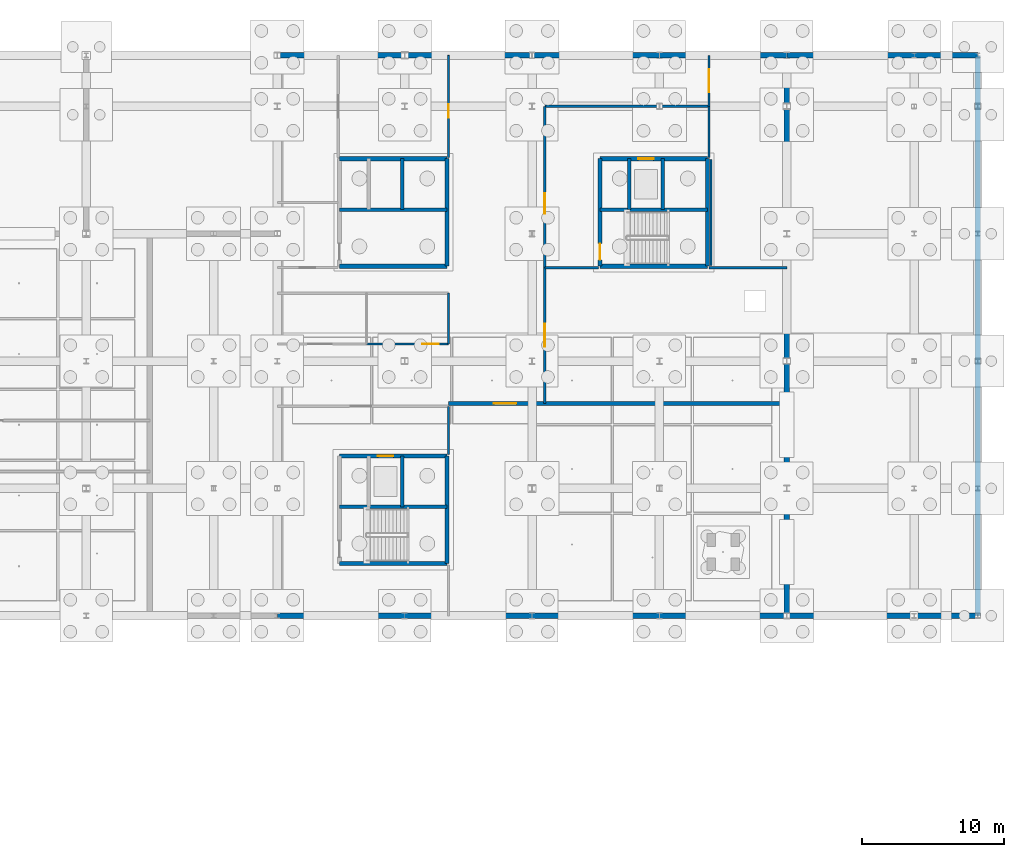
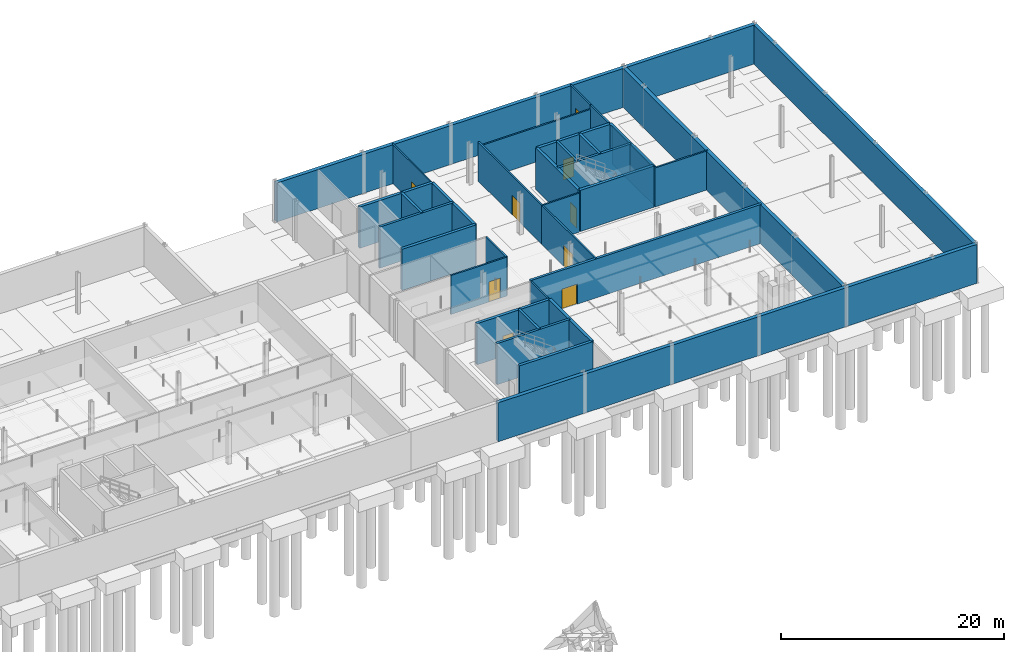
# One storey, part 26 of 48: 36 walls, 9 doors, 9 openings.
"""IFC4 building model written with IfcOpenShell, lengths in metres."""

from ifc_helpers import new_model, si_unit, direction, frame, frame_2d, origin, place, context, subcontext, project, spatial, rectangle, extrude, material, layer, layer_set, type_object, element, fill, save


model = new_model("IFC4")

# Units and contexts
model_context = context("Model", 3, precision=1e-05, world=origin(), true_north=direction((0.0, 1.0)))
body_context = subcontext(model_context, "Body", "Model", "MODEL_VIEW")
ifc_project = project(units=[si_unit("LENGTHUNIT", "METRE"), si_unit("AREAUNIT", "SQUARE_METRE"), si_unit("VOLUMEUNIT", "CUBIC_METRE"), si_unit("PLANEANGLEUNIT", "RADIAN"), si_unit("MASSUNIT", "GRAM", prefix="KILO"), si_unit("THERMODYNAMICTEMPERATUREUNIT", "KELVIN"), si_unit("POWERUNIT", "WATT")], contexts=[model_context])

# Site, building, storey
site_placement = place(None, origin())
site = spatial("IfcSite", under=ifc_project, at=site_placement, CompositionType="ELEMENT")
building_placement = place(site_placement, origin())
building = spatial("IfcBuilding", under=site, at=building_placement, Name="Tallowbark Science Centre", CompositionType="ELEMENT")
storey_placement = place(building_placement, frame((0.0, 0.0, -4.5)))
storey = spatial("IfcBuildingStorey", under=building, at=storey_placement, Name="B1", CompositionType="ELEMENT", Elevation=-4.5)

# Wall, opening, door
ifc_material_1 = material(Name="132 mm Acoustic Laboratory Steel Stud Partition", Category="steel")
ifc_layer_1 = layer(ifc_material_1, 0.132080078125)
ifc_layer_set_1 = layer_set([ifc_layer_1], Name="132 mm Acoustic Laboratory Steel Stud Partition")
wall_type_1 = type_object("IfcWallType", Name="PTW-132", PredefinedType="PARTITIONING", material=ifc_layer_set_1)
wall_1_placement = place(storey_placement, frame((124.60009765625, 104.39990234375, 0.0), z_axis=(0.0, 0.0, 1.0), x_axis=(0.0, 1.0, 0.0)))
wall_1 = element("IfcWall", 1, at=wall_1_placement, inside=storey, type_object=wall_type_1, Name="Interior Partition PTW-B1-0096", PredefinedType="PARTITIONING", context=body_context, shape_type="SweptSolid", body=[
    extrude(rectangle(XDim=7.2001953125, YDim=0.132080078125, at=frame_2d((3.60009765625, 0.0))), origin(), (0.0, 0.0, 1.0), 4.260009765625),
])
opening_1_placement = place(wall_1_placement, frame((2.800048828125, 0.0, 0.0)))
opening_1 = element("IfcOpeningElement", 2, at=opening_1_placement, cuts=wall_1, Name="Opening DS-31", PredefinedType="OPENING", context=body_context, shape_type="SweptSolid", body=[
    extrude(rectangle(XDim=0.949951171875, YDim=2.22509765625, at=frame_2d((0.47509765625, 1.112548828125))), frame((0.0, 0.076171875, 0.0), z_axis=(0.0, -1.0, 0.0), x_axis=(1.0, 0.0, 0.0)), (0.0, 0.0, 1.0), 0.152099609375),
])
ifc_material_2 = material(Name="Solid-Core Timber Veneer Leaf", Category="wood")
door_type_1 = type_object("IfcDoorType", Name="IDR-OFF-095-S31", OperationType="NOTDEFINED", PredefinedType="DOOR", material=ifc_material_2)
door_1_placement = place(opening_1_placement, origin())
door_1 = element("IfcDoor", 3, at=door_1_placement, inside=storey, type_object=door_type_1, Name="Interior Door IDR-B1-0031", OperationType="SINGLE_SWING_LEFT", OverallHeight=2.22509765625, OverallWidth=0.949951171875, PredefinedType="DOOR", context=body_context, shape_type="SweptSolid", body=[
    extrude(rectangle(XDim=0.949951171875, YDim=2.22509765625, at=frame_2d((0.47509765625, 1.112548828125))), frame((0.0, 0.02490234375, 0.0), z_axis=(0.0, -1.0, 0.0), x_axis=(1.0, 0.0, 0.0)), (0.0, 0.0, 1.0), 0.050048828125),
])
fill(opening_1, door_1)

# Wall
ifc_material_3 = material(Name="162 mm Double-Stud Fire-Rated Corridor Partition")
ifc_layer_2 = layer(ifc_material_3, 0.162109375)
ifc_layer_set_2 = layer_set([ifc_layer_2], Name="162 mm Double-Stud Fire-Rated Corridor Partition")
wall_type_2 = type_object("IfcWallType", Name="PTW-162", PredefinedType="PARTITIONING", material=ifc_layer_set_2)
wall_2_placement = place(storey_placement, frame((124.60009765625, 83.39990234375, 0.0), z_axis=(0.0, 0.0, 1.0), x_axis=(0.0, 1.0, 0.0)))
element("IfcWall", 4, at=wall_2_placement, inside=storey, type_object=wall_type_2, Name="Interior Partition PTW-B1-0010", PredefinedType="PARTITIONING", context=body_context, shape_type="SweptSolid", body=[
    extrude(rectangle(XDim=3.400146484375, YDim=0.162109375, at=frame_2d((1.7001953125, 0.0))), origin(), (0.0, 0.0, 1.0), 4.260009765625),
])

# Wall, opening, door
wall_3_placement = place(storey_placement, frame((131.39990234375, 96.60009765625, 0.0), z_axis=(0.0, 0.0, 1.0), x_axis=(0.0, 1.0, 0.0)))
wall_3 = element("IfcWall", 5, at=wall_3_placement, inside=storey, type_object=wall_type_2, Name="Interior Partition PTW-B1-0012", PredefinedType="PARTITIONING", context=body_context, shape_type="SweptSolid", body=[
    extrude(rectangle(XDim=11.39990234375, YDim=0.162109375, at=frame_2d((5.699951171875, 0.0))), origin(), (0.0, 0.0, 1.0), 4.260009765625),
])
opening_2_placement = place(wall_3_placement, frame((3.800048828125, 0.0, 0.0)))
opening_2 = element("IfcOpeningElement", 6, at=opening_2_placement, cuts=wall_3, Name="Opening DS-02", PredefinedType="OPENING", context=body_context, shape_type="SweptSolid", body=[
    extrude(rectangle(XDim=1.469970703125, YDim=2.14990234375, at=frame_2d((0.73486328125, 1.074951171875))), frame((0.0, 0.091064453125, 0.0), z_axis=(0.0, -1.0, 0.0), x_axis=(1.0, 0.0, 0.0)), (0.0, 0.0, 1.0), 0.18212890625),
])
ifc_material_4 = material(Name="Fire-Rated Glazed Steel Pair", Category="steel")
door_type_2 = type_object("IfcDoorType", Name="FDR-LOB-145-S02", OperationType="DOUBLE_DOOR_SINGLE_SWING", PredefinedType="DOOR", material=ifc_material_4)
door_2_placement = place(opening_2_placement, origin())
door_2 = element("IfcDoor", 7, at=door_2_placement, inside=storey, type_object=door_type_2, Name="Interior Door IDR-B1-0002", OperationType="DOUBLE_DOOR_SINGLE_SWING", OverallHeight=2.14990234375, OverallWidth=1.469970703125, PredefinedType="DOOR", context=body_context, shape_type="SweptSolid", body=[
    extrude(rectangle(XDim=1.469970703125, YDim=2.14990234375, at=frame_2d((0.73486328125, 1.074951171875))), frame((0.0, 0.02490234375, 0.0), z_axis=(0.0, -1.0, 0.0), x_axis=(1.0, 0.0, 0.0)), (0.0, 0.0, 1.0), 0.050048828125),
])
fill(opening_2, door_2)

# Walls
wall_4_placement = place(storey_placement, frame((131.39990234375, 96.60009765625, 0.0), z_axis=(0.0, 0.0, 1.0), x_axis=(1.0, 0.0, 0.0)))
element("IfcWall", 8, at=wall_4_placement, inside=storey, type_object=wall_type_2, Name="Interior Partition PTW-B1-0013", PredefinedType="PARTITIONING", context=body_context, shape_type="SweptSolid", body=[
    extrude(rectangle(XDim=3.800048828125, YDim=0.162109375, at=frame_2d((1.89990234375, 0.0))), origin(), (0.0, 0.0, 1.0), 4.260009765625),
])
wall_5_placement = place(storey_placement, frame((143.0, 104.39990234375, 0.0), z_axis=(0.0, 0.0, 1.0), x_axis=(0.0, 1.0, 0.0)))
element("IfcWall", 9, at=wall_5_placement, inside=storey, type_object=wall_type_2, Name="Interior Partition PTW-B1-0014", PredefinedType="PARTITIONING", context=body_context, shape_type="SweptSolid", body=[
    extrude(rectangle(XDim=3.60009765625, YDim=0.162109375, at=frame_2d((1.800048828125, 0.0))), origin(), (0.0, 0.0, 1.0), 4.260009765625),
])
wall_6_placement = place(storey_placement, frame((131.39990234375, 108.0, 0.0), z_axis=(0.0, 0.0, 1.0), x_axis=(1.0, 0.0, 0.0)))
element("IfcWall", 10, at=wall_6_placement, inside=storey, type_object=wall_type_2, Name="Interior Partition PTW-B1-0015", PredefinedType="PARTITIONING", context=body_context, shape_type="SweptSolid", body=[
    extrude(rectangle(XDim=11.60009765625, YDim=0.162109375, at=frame_2d((5.800048828125, 0.0))), origin(), (0.0, 0.0, 1.0), 3.7861328125),
])

# Wall, opening, door
wall_7_placement = place(storey_placement, frame((131.39990234375, 87.0, 0.0), z_axis=(0.0, 0.0, 1.0), x_axis=(0.0, 1.0, 0.0)))
wall_7 = element("IfcWall", 11, at=wall_7_placement, inside=storey, type_object=wall_type_2, Name="Interior Partition PTW-B1-0086", PredefinedType="PARTITIONING", context=body_context, shape_type="SweptSolid", body=[
    extrude(rectangle(XDim=9.60009765625, YDim=0.162109375, at=frame_2d((4.800048828125, 0.0))), origin(), (0.0, 0.0, 1.0), 4.260009765625),
])
opening_3_placement = place(wall_7_placement, frame((4.0, 0.0, 0.0)))
opening_3 = element("IfcOpeningElement", 12, at=opening_3_placement, cuts=wall_7, Name="Opening DS-26", PredefinedType="OPENING", context=body_context, shape_type="SweptSolid", body=[
    extrude(rectangle(XDim=1.6201171875, YDim=2.25, at=frame_2d((0.81005859375, 1.125))), frame((0.0, 0.091064453125, 0.0), z_axis=(0.0, -1.0, 0.0), x_axis=(1.0, 0.0, 0.0)), (0.0, 0.0, 1.0), 0.18212890625),
])
ifc_material_5 = material(Name="Fire-Rated Acoustic Plant Pair")
door_type_3 = type_object("IfcDoorType", Name="FDR-PLT-160-S26", OperationType="DOUBLE_DOOR_SINGLE_SWING", PredefinedType="DOOR", material=ifc_material_5)
door_3_placement = place(opening_3_placement, origin())
door_3 = element("IfcDoor", 13, at=door_3_placement, inside=storey, type_object=door_type_3, Name="Interior Door IDR-B1-0026", OperationType="DOUBLE_DOOR_SINGLE_SWING", OverallHeight=2.25, OverallWidth=1.6201171875, PredefinedType="DOOR", context=body_context, shape_type="SweptSolid", body=[
    extrude(rectangle(XDim=1.6201171875, YDim=2.25, at=frame_2d((0.81005859375, 1.125))), frame((0.0, 0.02490234375, 0.0), z_axis=(0.0, -1.0, 0.0), x_axis=(1.0, 0.0, 0.0)), (0.0, 0.0, 1.0), 0.050048828125),
])
fill(opening_3, door_3)

# Wall
wall_8_placement = place(storey_placement, frame((143.0, 96.60009765625, 0.0), z_axis=(0.0, 0.0, 1.0), x_axis=(1.0, 0.0, 0.0)))
element("IfcWall", 14, at=wall_8_placement, inside=storey, type_object=wall_type_2, Name="Interior Partition PTW-B1-0087", PredefinedType="PARTITIONING", context=body_context, shape_type="SweptSolid", body=[
    extrude(rectangle(XDim=5.5, YDim=0.162109375, at=frame_2d((2.75, 0.0))), origin(), (0.0, 0.0, 1.0), 4.260009765625),
])

# Wall, opening, door
wall_9_placement = place(storey_placement, frame((118.800048828125, 91.199951171875, 0.0), z_axis=(0.0, 0.0, 1.0), x_axis=(1.0, 0.0, 0.0)))
wall_9 = element("IfcWall", 15, at=wall_9_placement, inside=storey, type_object=wall_type_2, Name="Interior Partition PTW-B1-0089", PredefinedType="PARTITIONING", context=body_context, shape_type="SweptSolid", body=[
    extrude(rectangle(XDim=5.800048828125, YDim=0.162109375, at=frame_2d((2.89990234375, 0.0))), origin(), (0.0, 0.0, 1.0), 4.260009765625),
])
opening_4_placement = place(wall_9_placement, frame((3.949951171875, 0.0, 0.0)))
opening_4 = element("IfcOpeningElement", 16, at=opening_4_placement, cuts=wall_9, Name="Opening DS-28", PredefinedType="OPENING", context=body_context, shape_type="SweptSolid", body=[
    extrude(rectangle(XDim=1.159912109375, YDim=2.199951171875, at=frame_2d((0.580078125, 1.10009765625))), frame((0.0, 0.091064453125, 0.0), z_axis=(0.0, -1.0, 0.0), x_axis=(1.0, 0.0, 0.0)), (0.0, 0.0, 1.0), 0.18212890625),
])
ifc_material_6 = material(Name="Heavy-Duty Store Leaf")
door_type_4 = type_object("IfcDoorType", Name="IDR-STO-110-S28", OperationType="NOTDEFINED", PredefinedType="DOOR", material=ifc_material_6)
door_4_placement = place(opening_4_placement, origin())
door_4 = element("IfcDoor", 17, at=door_4_placement, inside=storey, type_object=door_type_4, Name="Interior Door IDR-B1-0028", OperationType="SINGLE_SWING_RIGHT", OverallHeight=2.199951171875, OverallWidth=1.159912109375, PredefinedType="DOOR", context=body_context, shape_type="SweptSolid", body=[
    extrude(rectangle(XDim=1.159912109375, YDim=2.199951171875, at=frame_2d((0.580078125, 1.10009765625))), frame((0.0, 0.02490234375, 0.0), z_axis=(0.0, -1.0, 0.0), x_axis=(1.0, 0.0, 0.0)), (0.0, 0.0, 1.0), 0.050048828125),
])
fill(opening_4, door_4)

# Wall
wall_10_placement = place(storey_placement, frame((124.60009765625, 91.199951171875, 0.0), z_axis=(0.0, 0.0, 1.0), x_axis=(0.0, 1.0, 0.0)))
element("IfcWall", 18, at=wall_10_placement, inside=storey, type_object=wall_type_2, Name="Interior Partition PTW-B1-0092", PredefinedType="PARTITIONING", context=body_context, shape_type="SweptSolid", body=[
    extrude(rectangle(XDim=3.60009765625, YDim=0.162109375, at=frame_2d((1.800048828125, 0.0))), origin(), (0.0, 0.0, 1.0), 4.260009765625),
])

# Wall, opening, door
wall_11_placement = place(storey_placement, frame((143.0, 108.0, 0.0), z_axis=(0.0, 0.0, 1.0), x_axis=(0.0, 1.0, 0.0)))
wall_11 = element("IfcWall", 19, at=wall_11_placement, inside=storey, type_object=wall_type_2, Name="Interior Partition PTW-B1-0097", PredefinedType="PARTITIONING", context=body_context, shape_type="SweptSolid", body=[
    extrude(rectangle(XDim=3.60009765625, YDim=0.162109375, at=frame_2d((1.800048828125, 0.0))), origin(), (0.0, 0.0, 1.0), 4.260009765625),
])
opening_5_placement = place(wall_11_placement, frame((1.0, 0.0, 0.0)))
opening_5 = element("IfcOpeningElement", 20, at=opening_5_placement, cuts=wall_11, Name="Opening DS-32", PredefinedType="OPENING", context=body_context, shape_type="SweptSolid", body=[
    extrude(rectangle(XDim=1.6201171875, YDim=2.27490234375, at=frame_2d((0.81005859375, 1.137451171875))), frame((0.0, 0.091064453125, 0.0), z_axis=(0.0, -1.0, 0.0), x_axis=(1.0, 0.0, 0.0)), (0.0, 0.0, 1.0), 0.18212890625),
])
door_type_5 = type_object("IfcDoorType", Name="FDR-PLT-160-S32", OperationType="DOUBLE_DOOR_SINGLE_SWING", PredefinedType="DOOR", material=ifc_material_5)
door_5_placement = place(opening_5_placement, origin())
door_5 = element("IfcDoor", 21, at=door_5_placement, inside=storey, type_object=door_type_5, Name="Interior Door IDR-B1-0032", OperationType="DOUBLE_DOOR_SINGLE_SWING", OverallHeight=2.27490234375, OverallWidth=1.6201171875, PredefinedType="DOOR", context=body_context, shape_type="SweptSolid", body=[
    extrude(rectangle(XDim=1.6201171875, YDim=2.27490234375, at=frame_2d((0.81005859375, 1.137451171875))), frame((0.0, 0.02490234375, 0.0), z_axis=(0.0, -1.0, 0.0), x_axis=(1.0, 0.0, 0.0)), (0.0, 0.0, 1.0), 0.050048828125),
])
fill(opening_5, door_5)

# Walls
wall_12_placement = place(storey_placement, frame((143.139892578125, 96.75, 0.0), z_axis=(0.0, 0.0, 1.0), x_axis=(0.0, 1.0, 0.0)))
element("IfcWall", 22, at=wall_12_placement, inside=storey, type_object=wall_type_2, Name="Interior Partition PTW-B1-0098", PredefinedType="PARTITIONING", context=body_context, shape_type="SweptSolid", body=[
    extrude(rectangle(XDim=7.5, YDim=0.162109375, at=frame_2d((3.75, 0.0))), origin(), (0.0, 0.0, 1.0), 4.260009765625),
])
ifc_material_7 = material(Name="Concrete Grade N40 (40 MPa)", Category="concrete")
ifc_layer_3 = layer(ifc_material_7, 0.300048828125)
ifc_layer_set_3 = layer_set([ifc_layer_3], Name="Concrete Grade N40 (40 MPa)")
wall_type_3 = type_object("IfcWallType", Name="WL-CORE-300", PredefinedType="SHEAR", material=ifc_layer_set_3)
for number, where, z_axis, x_axis, name in (
    (23, (124.5, 75.699951171875, 0.0), (0.0, 0.0, 1.0), (0.0, 1.0, 0.0), "Core C2 Shear Wall B1 E"),
    (24, (116.89990234375, 75.699951171875, 0.0), (0.0, 0.0, 1.0), (1.0, 0.0, 0.0), "Core C2 Shear Wall B1 S"),
):
    element("IfcWall", number, at=place(storey_placement, frame(where, z_axis=z_axis, x_axis=x_axis)), inside=storey, type_object=wall_type_3, Name=name, PredefinedType="SHEAR", context=body_context, shape_type="SweptSolid", body=[
        extrude(rectangle(XDim=7.60009765625, YDim=0.300048828125, at=frame_2d((3.800048828125, 0.0))), origin(), (0.0, 0.0, 1.0), 4.5),
    ])

# Wall, opening, door
wall_13_placement = place(storey_placement, frame((116.89990234375, 83.300048828125, 0.0), z_axis=(0.0, 0.0, 1.0), x_axis=(1.0, 0.0, 0.0)))
wall_13 = element("IfcWall", 25, at=wall_13_placement, inside=storey, type_object=wall_type_3, Name="Core C2 Shear Wall B1 N", PredefinedType="SHEAR", context=body_context, shape_type="SweptSolid", body=[
    extrude(rectangle(XDim=7.60009765625, YDim=0.300048828125, at=frame_2d((3.800048828125, 0.0))), origin(), (0.0, 0.0, 1.0), 4.5),
])
opening_6_placement = place(wall_13_placement, frame((2.699951171875, 0.0, 0.0)))
opening_6 = element("IfcOpeningElement", 26, at=opening_6_placement, cuts=wall_13, Name="Opening LD-01", PredefinedType="OPENING", context=body_context, shape_type="SweptSolid", body=[
    extrude(rectangle(XDim=1.10009765625, YDim=2.199951171875, at=frame_2d((0.550048828125, 1.10009765625))), frame((0.0, 0.16015625, 0.0), z_axis=(0.0, -1.0, 0.0), x_axis=(1.0, 0.0, 0.0)), (0.0, 0.0, 1.0), 0.320068359375),
])
ifc_material_8 = material(Name="Brushed Stainless Steel Centre-Parting Lift Landing Door", Category="steel")
door_type_6 = type_object("IfcDoorType", Name="LDR-LFT-110", OperationType="DOUBLE_DOOR_SLIDING", PredefinedType="DOOR", material=ifc_material_8)
door_6_placement = place(opening_6_placement, origin())
door_6 = element("IfcDoor", 27, at=door_6_placement, inside=storey, type_object=door_type_6, Name="Lift LF-02 Landing Door B1", OperationType="DOUBLE_DOOR_SLIDING", OverallHeight=2.199951171875, OverallWidth=1.10009765625, PredefinedType="DOOR", context=body_context, shape_type="SweptSolid", body=[
    extrude(rectangle(XDim=1.10009765625, YDim=2.199951171875, at=frame_2d((0.550048828125, 1.10009765625))), frame((0.0, 0.02490234375, 0.0), z_axis=(0.0, -1.0, 0.0), x_axis=(1.0, 0.0, 0.0)), (0.0, 0.0, 1.0), 0.050048828125),
])
fill(opening_6, door_6)

wall_14_placement = place(storey_placement, frame((135.300048828125, 96.699951171875, 0.0), z_axis=(0.0, 0.0, 1.0), x_axis=(0.0, 1.0, 0.0)))
wall_14 = element("IfcWall", 28, at=wall_14_placement, inside=storey, type_object=wall_type_3, Name="Core C4 Shear Wall B1 W", PredefinedType="SHEAR", context=body_context, shape_type="SweptSolid", body=[
    extrude(rectangle(XDim=7.60009765625, YDim=0.300048828125, at=frame_2d((3.800048828125, 0.0))), origin(), (0.0, 0.0, 1.0), 4.5),
])
opening_7_placement = place(wall_14_placement, frame((0.449951171875, 0.0, 0.0)))
opening_7 = element("IfcOpeningElement", 29, at=opening_7_placement, cuts=wall_14, Name="Opening FD-01", PredefinedType="OPENING", context=body_context, shape_type="SweptSolid", body=[
    extrude(rectangle(XDim=1.14990234375, YDim=2.14990234375, at=frame_2d((0.574951171875, 1.074951171875))), frame((0.0, 0.16015625, 0.0), z_axis=(0.0, -1.0, 0.0), x_axis=(1.0, 0.0, 0.0)), (0.0, 0.0, 1.0), 0.320068359375),
])
ifc_material_9 = material(Name="Fire-Rated Pressed Steel Frame and Solid Core Leaf", Category="steel")
door_type_7 = type_object("IfcDoorType", Name="FDR-STR-115", OperationType="NOTDEFINED", PredefinedType="DOOR", material=ifc_material_9)
door_7_placement = place(opening_7_placement, origin())
door_7 = element("IfcDoor", 30, at=door_7_placement, inside=storey, type_object=door_type_7, Name="Stair ST-04 Fire Door B1", OperationType="SINGLE_SWING_LEFT", OverallHeight=2.14990234375, OverallWidth=1.14990234375, PredefinedType="DOOR", context=body_context, shape_type="SweptSolid", body=[
    extrude(rectangle(XDim=1.14990234375, YDim=2.14990234375, at=frame_2d((0.574951171875, 1.074951171875))), frame((0.0, 0.02490234375, 0.0), z_axis=(0.0, -1.0, 0.0), x_axis=(1.0, 0.0, 0.0)), (0.0, 0.0, 1.0), 0.050048828125),
])
fill(opening_7, door_7)

# Walls
wall_15_placement = place(storey_placement, frame((142.89990234375, 96.699951171875, 0.0), z_axis=(0.0, 0.0, 1.0), x_axis=(0.0, 1.0, 0.0)))
element("IfcWall", 31, at=wall_15_placement, inside=storey, type_object=wall_type_3, Name="Core C4 Shear Wall B1 E", PredefinedType="SHEAR", context=body_context, shape_type="SweptSolid", body=[
    extrude(rectangle(XDim=7.60009765625, YDim=0.300048828125, at=frame_2d((3.800048828125, 0.0))), origin(), (0.0, 0.0, 1.0), 4.5),
])
wall_16_placement = place(storey_placement, frame((135.300048828125, 96.699951171875, 0.0), z_axis=(0.0, 0.0, 1.0), x_axis=(1.0, 0.0, 0.0)))
element("IfcWall", 32, at=wall_16_placement, inside=storey, type_object=wall_type_3, Name="Core C4 Shear Wall B1 S", PredefinedType="SHEAR", context=body_context, shape_type="SweptSolid", body=[
    extrude(rectangle(XDim=7.599853515625, YDim=0.300048828125, at=frame_2d((3.7998046875, 0.0))), origin(), (0.0, 0.0, 1.0), 4.5),
])

# Wall, opening, door
wall_17_placement = place(storey_placement, frame((135.300048828125, 104.300048828125, 0.0), z_axis=(0.0, 0.0, 1.0), x_axis=(1.0, 0.0, 0.0)))
wall_17 = element("IfcWall", 33, at=wall_17_placement, inside=storey, type_object=wall_type_3, Name="Core C4 Shear Wall B1 N", PredefinedType="SHEAR", context=body_context, shape_type="SweptSolid", body=[
    extrude(rectangle(XDim=7.599853515625, YDim=0.300048828125, at=frame_2d((3.7998046875, 0.0))), origin(), (0.0, 0.0, 1.0), 4.5),
])
opening_8_placement = place(wall_17_placement, frame((2.699951171875, 0.0, 0.0)))
opening_8 = element("IfcOpeningElement", 34, at=opening_8_placement, cuts=wall_17, Name="Opening LD-01", PredefinedType="OPENING", context=body_context, shape_type="SweptSolid", body=[
    extrude(rectangle(XDim=1.10009765625, YDim=2.199951171875, at=frame_2d((0.550048828125, 1.10009765625))), frame((0.0, 0.16015625, 0.0), z_axis=(0.0, -1.0, 0.0), x_axis=(1.0, 0.0, 0.0)), (0.0, 0.0, 1.0), 0.320068359375),
])
door_8_placement = place(opening_8_placement, origin())
door_8 = element("IfcDoor", 35, at=door_8_placement, inside=storey, type_object=door_type_6, Name="Lift LF-03 Landing Door B1", OperationType="DOUBLE_DOOR_SLIDING", OverallHeight=2.199951171875, OverallWidth=1.10009765625, PredefinedType="DOOR", context=body_context, shape_type="SweptSolid", body=[
    extrude(rectangle(XDim=1.10009765625, YDim=2.199951171875, at=frame_2d((0.550048828125, 1.10009765625))), frame((0.0, 0.02490234375, 0.0), z_axis=(0.0, -1.0, 0.0), x_axis=(1.0, 0.0, 0.0)), (0.0, 0.0, 1.0), 0.050048828125),
])
fill(opening_8, door_8)

# Walls
for number, where, z_axis, x_axis, name in (
    (36, (124.5, 96.699951171875, 0.0), (0.0, 0.0, 1.0), (0.0, 1.0, 0.0), "Core C5 Shear Wall B1 E"),
    (37, (116.89990234375, 96.699951171875, 0.0), (0.0, 0.0, 1.0), (1.0, 0.0, 0.0), "Core C5 Shear Wall B1 S"),
    (38, (116.89990234375, 104.300048828125, 0.0), (0.0, 0.0, 1.0), (1.0, 0.0, 0.0), "Core C5 Shear Wall B1 N"),
):
    element("IfcWall", number, at=place(storey_placement, frame(where, z_axis=z_axis, x_axis=x_axis)), inside=storey, type_object=wall_type_3, Name=name, PredefinedType="SHEAR", context=body_context, shape_type="SweptSolid", body=[
        extrude(rectangle(XDim=7.60009765625, YDim=0.300048828125, at=frame_2d((3.800048828125, 0.0))), origin(), (0.0, 0.0, 1.0), 4.5),
    ])

# Wall, opening, door
ifc_layer_4 = layer(ifc_material_7, 0.260009765625)
ifc_layer_set_4 = layer_set([ifc_layer_4], Name="Concrete Grade N40 (40 MPa)")
wall_type_4 = type_object("IfcWallType", Name="WL-FIRE-260", PredefinedType="SHEAR", material=ifc_layer_set_4)
wall_18_placement = place(storey_placement, frame((124.60009765625, 87.0, 0.0), z_axis=(0.0, 0.0, 1.0), x_axis=(1.0, 0.0, 0.0)))
wall_18 = element("IfcWall", 39, at=wall_18_placement, inside=storey, type_object=wall_type_4, Name="Basement Wall B1-FIR-03", PredefinedType="SHEAR", context=body_context, shape_type="SweptSolid", body=[
    extrude(rectangle(XDim=23.89990234375, YDim=0.260009765625, at=frame_2d((11.949951171875, 0.0))), origin(), (0.0, 0.0, 1.0), 4.260009765625),
])
opening_9_placement = place(wall_18_placement, frame((3.199951171875, 0.0, 0.0)))
opening_9 = element("IfcOpeningElement", 40, at=opening_9_placement, cuts=wall_18, Name="Opening FD-03", PredefinedType="OPENING", context=body_context, shape_type="SweptSolid", body=[
    extrude(rectangle(XDim=1.60009765625, YDim=2.199951171875, at=frame_2d((0.800048828125, 1.10009765625))), frame((0.0, 0.14013671875, 0.0), z_axis=(0.0, -1.0, 0.0), x_axis=(1.0, 0.0, 0.0)), (0.0, 0.0, 1.0), 0.280029296875),
])
door_type_8 = type_object("IfcDoorType", Name="FDR-PLT-160", OperationType="DOUBLE_DOOR_SINGLE_SWING", PredefinedType="DOOR", material=ifc_material_5)
door_9_placement = place(opening_9_placement, origin())
door_9 = element("IfcDoor", 41, at=door_9_placement, inside=storey, type_object=door_type_8, Name="Basement Fire Compartment Door B1-FIR-03-1", OperationType="DOUBLE_DOOR_SINGLE_SWING", OverallHeight=2.199951171875, OverallWidth=1.60009765625, PredefinedType="DOOR", context=body_context, shape_type="SweptSolid", body=[
    extrude(rectangle(XDim=1.60009765625, YDim=2.199951171875, at=frame_2d((0.800048828125, 1.10009765625))), frame((0.0, 0.02490234375, 0.0), z_axis=(0.0, -1.0, 0.0), x_axis=(1.0, 0.0, 0.0)), (0.0, 0.0, 1.0), 0.050048828125),
])
fill(opening_9, door_9)

# Walls
ifc_layer_5 = layer(ifc_material_7, 0.3798828125)
ifc_layer_set_5 = layer_set([ifc_layer_5], Name="Concrete Grade N40 (40 MPa)")
wall_type_5 = type_object("IfcWallType", Name="WL-RET-380", PredefinedType="SHEAR", material=ifc_layer_set_5)
for number, where, z_axis, x_axis, name in (
    (42, (148.5, 72.0, 0.0), (0.0, 0.0, 1.0), (1.0, 0.0, 0.0), "Basement Wall B1-RET-OBE-S"),
    (43, (148.5, 111.60009765625, 0.0), (0.0, 0.0, 1.0), (1.0, 0.0, 0.0), "Basement Wall B1-RET-OBE-N"),
):
    element("IfcWall", number, at=place(storey_placement, frame(where, z_axis=z_axis, x_axis=x_axis)), inside=storey, type_object=wall_type_5, Name=name, PredefinedType="SHEAR", context=body_context, shape_type="SweptSolid", body=[
        extrude(rectangle(XDim=13.5, YDim=0.3798828125, at=frame_2d((6.75, 0.0))), origin(), (0.0, 0.0, 1.0), 4.260009765625),
    ])
wall_19_placement = place(storey_placement, frame((162.0, 72.0, 0.0), z_axis=(0.0, 0.0, 1.0), x_axis=(0.0, 1.0, 0.0)))
element("IfcWall", 44, at=wall_19_placement, inside=storey, type_object=wall_type_5, Name="Basement Wall B1-RET-OBE-E", PredefinedType="SHEAR", context=body_context, shape_type="SweptSolid", body=[
    extrude(rectangle(XDim=39.60009765625, YDim=0.3798828125, at=frame_2d((19.800048828125, 0.0))), origin(), (0.0, 0.0, 1.0), 4.260009765625),
])
for number, where, z_axis, x_axis, name in (
    (45, (112.52490234375, 72.0, 0.0), (0.0, 0.0, 1.0), (1.0, 0.0, 0.0), "Basement Wall B1-RET-OBS-S"),
    (46, (112.52490234375, 111.60009765625, 0.0), (0.0, 0.0, 1.0), (1.0, 0.0, 0.0), "Basement Wall B1-RET-OBS-N"),
):
    element("IfcWall", number, at=place(storey_placement, frame(where, z_axis=z_axis, x_axis=x_axis)), inside=storey, type_object=wall_type_5, Name=name, PredefinedType="SHEAR", context=body_context, shape_type="SweptSolid", body=[
        extrude(rectangle(XDim=35.97509765625, YDim=0.3798828125, at=frame_2d((17.987548828125, 0.0))), origin(), (0.0, 0.0, 1.0), 4.260009765625),
    ])
wall_20_placement = place(storey_placement, frame((148.5, 72.0, 0.0), z_axis=(0.0, 0.0, 1.0), x_axis=(0.0, 1.0, 0.0)))
element("IfcWall", 47, at=wall_20_placement, inside=storey, type_object=wall_type_5, Name="Basement Wall B1-RET-OBS-E", PredefinedType="SHEAR", context=body_context, shape_type="SweptSolid", body=[
    extrude(rectangle(XDim=39.60009765625, YDim=0.3798828125, at=frame_2d((19.800048828125, 0.0))), origin(), (0.0, 0.0, 1.0), 4.260009765625),
])
ifc_layer_6 = layer(ifc_material_7, 0.25)
ifc_layer_set_6 = layer_set([ifc_layer_6], Name="Concrete Grade N40 (40 MPa)")
wall_type_6 = type_object("IfcWallType", Name="WL-SHAFT-250", PredefinedType="SHEAR", material=ifc_layer_set_6)
wall_21_placement = place(storey_placement, frame((116.89990234375, 79.695068359375, 0.0), z_axis=(0.0, 0.0, 1.0), x_axis=(1.0, 0.0, 0.0)))
element("IfcWall", 48, at=wall_21_placement, inside=storey, type_object=wall_type_6, Name="Core C2 Shear Wall B1 MID", PredefinedType="SHEAR", context=body_context, shape_type="SweptSolid", body=[
    extrude(rectangle(XDim=7.60009765625, YDim=0.25, at=frame_2d((3.800048828125, 0.0))), origin(), (0.0, 0.0, 1.0), 4.5),
])
wall_22_placement = place(storey_placement, frame((121.324951171875, 79.695068359375, 0.0), z_axis=(0.0, 0.0, 1.0), x_axis=(0.0, 1.0, 0.0)))
element("IfcWall", 49, at=wall_22_placement, inside=storey, type_object=wall_type_6, Name="Core C2 Shear Wall B1 LE", PredefinedType="SHEAR", context=body_context, shape_type="SweptSolid", body=[
    extrude(rectangle(XDim=3.60498046875, YDim=0.25, at=frame_2d((1.802490234375, 0.0))), origin(), (0.0, 0.0, 1.0), 4.5),
])
wall_23_placement = place(storey_placement, frame((135.300048828125, 100.695068359375, 0.0), z_axis=(0.0, 0.0, 1.0), x_axis=(1.0, 0.0, 0.0)))
element("IfcWall", 50, at=wall_23_placement, inside=storey, type_object=wall_type_6, Name="Core C4 Shear Wall B1 MID", PredefinedType="SHEAR", context=body_context, shape_type="SweptSolid", body=[
    extrude(rectangle(XDim=7.599853515625, YDim=0.25, at=frame_2d((3.7998046875, 0.0))), origin(), (0.0, 0.0, 1.0), 4.5),
])
for number, where, z_axis, x_axis, name in (
    (51, (137.375, 100.695068359375, 0.0), (0.0, 0.0, 1.0), (0.0, 1.0, 0.0), "Core C4 Shear Wall B1 LW"),
    (52, (139.72509765625, 100.695068359375, 0.0), (0.0, 0.0, 1.0), (0.0, 1.0, 0.0), "Core C4 Shear Wall B1 LE"),
):
    element("IfcWall", number, at=place(storey_placement, frame(where, z_axis=z_axis, x_axis=x_axis)), inside=storey, type_object=wall_type_6, Name=name, PredefinedType="SHEAR", context=body_context, shape_type="SweptSolid", body=[
        extrude(rectangle(XDim=3.60498046875, YDim=0.25, at=frame_2d((1.802490234375, 0.0))), origin(), (0.0, 0.0, 1.0), 4.5),
    ])
wall_24_placement = place(storey_placement, frame((116.89990234375, 100.695068359375, 0.0), z_axis=(0.0, 0.0, 1.0), x_axis=(1.0, 0.0, 0.0)))
element("IfcWall", 53, at=wall_24_placement, inside=storey, type_object=wall_type_6, Name="Core C5 Shear Wall B1 MID", PredefinedType="SHEAR", context=body_context, shape_type="SweptSolid", body=[
    extrude(rectangle(XDim=7.60009765625, YDim=0.25, at=frame_2d((3.800048828125, 0.0))), origin(), (0.0, 0.0, 1.0), 4.5),
])
wall_25_placement = place(storey_placement, frame((121.324951171875, 100.695068359375, 0.0), z_axis=(0.0, 0.0, 1.0), x_axis=(0.0, 1.0, 0.0)))
element("IfcWall", 54, at=wall_25_placement, inside=storey, type_object=wall_type_6, Name="Core C5 Shear Wall B1 LE", PredefinedType="SHEAR", context=body_context, shape_type="SweptSolid", body=[
    extrude(rectangle(XDim=3.60498046875, YDim=0.25, at=frame_2d((1.802490234375, 0.0))), origin(), (0.0, 0.0, 1.0), 4.5),
])

save(model, "model.ifc")
